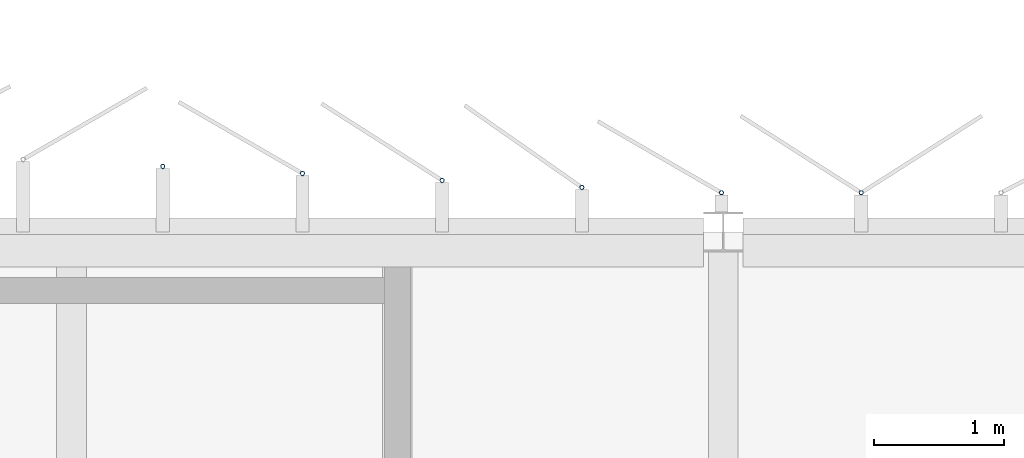
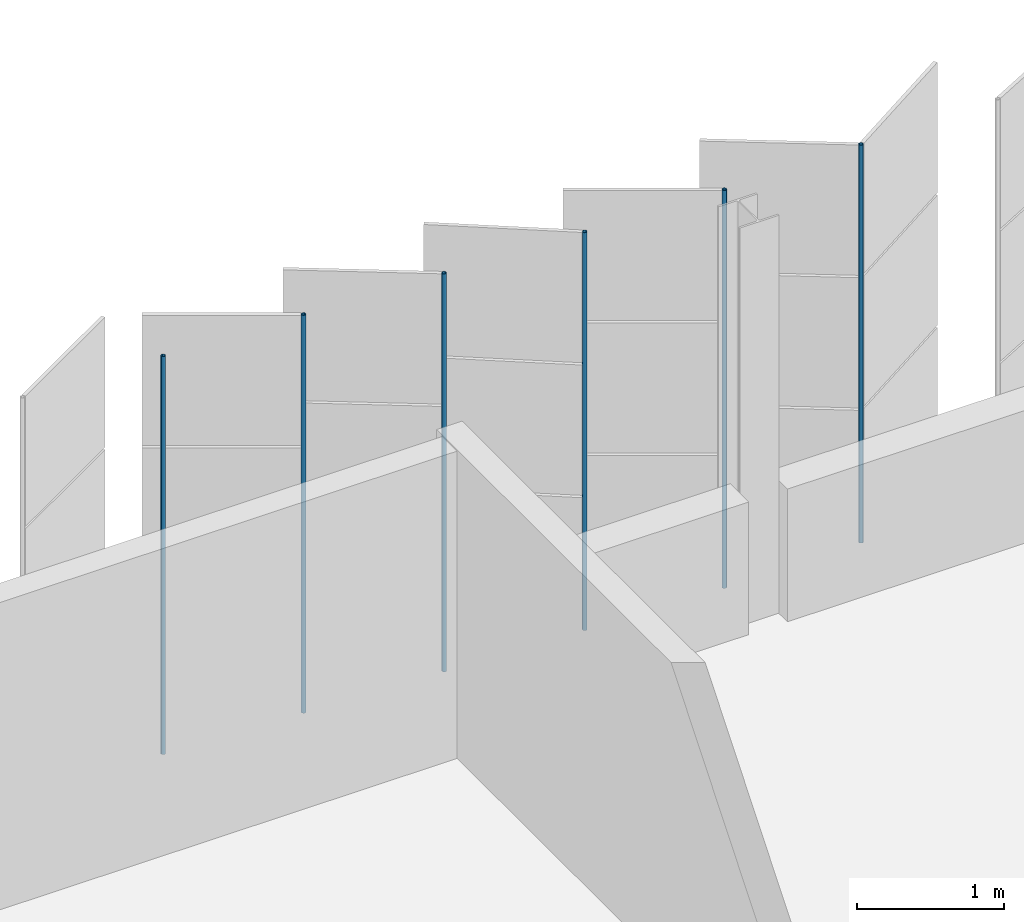
# One storey, part 136 of 199: 6 discrete accessories.
"""IFC4 building model written with IfcOpenShell, lengths in metres."""

from ifc_helpers import new_model, si_unit, direction, frame, origin, origin_2d, place, context, subcontext, project, spatial, hollow_circle, extrude, material, material_profile, profile_set, type_object, element, save


model = new_model("IFC4")

# Units and contexts
model_context = context("Model", 3, precision=1e-05, world=origin(), true_north=direction((0.0, 1.0)))
body_context = subcontext(model_context, "Body", "Model", "MODEL_VIEW")
ifc_project = project(units=[si_unit("LENGTHUNIT", "METRE"), si_unit("AREAUNIT", "SQUARE_METRE"), si_unit("VOLUMEUNIT", "CUBIC_METRE"), si_unit("PLANEANGLEUNIT", "RADIAN"), si_unit("MASSUNIT", "GRAM", prefix="KILO")], contexts=[model_context])

# Site, building, storey
site_placement = place(None, origin())
site = spatial("IfcSite", under=ifc_project, at=site_placement, CompositionType="ELEMENT")
building_placement = place(site_placement, origin())
building = spatial("IfcBuilding", under=site, at=building_placement, Name="Parallax Yard Mobility Hub", CompositionType="ELEMENT")
storey_placement = place(building_placement, frame((0.0, 0.0, 9.89990234375)))
storey = spatial("IfcBuildingStorey", under=building, at=storey_placement, Name="L03", CompositionType="ELEMENT", Elevation=9.89990234375)

# Discrete accessories
ifc_material = material(Name="Steel ASTM A500 Gr C, hot-dip galvanised", Category="steel")
ifc_material_profile = material_profile(ifc_material, hollow_circle(Radius=0.016845703125, WallThickness=0.003173828125, at=origin_2d()), Name="CHS 33.7x3.2")
ifc_profile_set = profile_set([ifc_material_profile], Name="Steel ASTM A500 Gr C, hot-dip galvanised")
discrete_accessory_type = type_object("IfcDiscreteAccessoryType", Name="Hinge post CHS 33.7x3.2", PredefinedType="BRACKET", material=ifc_profile_set)
for number, where, z_axis, x_axis, name in (
    (1, (46.058349609375, 142.800048828125, 0.0), (0.0, 0.0, 1.0), (1.0, 0.0, 0.0), "Hinge post bay 67.7 level L03"),
    (2, (44.98681640625, 142.800048828125, 0.0), (0.0, 0.0, 1.0), (1.0, 0.0, 0.0), "Hinge post bay 68.1 level L03"),
    (3, (43.915283203125, 142.841064453125, 0.0), (0.0, 0.0, 1.0), (1.0, 0.0, 0.0), "Hinge post bay 68.2 level L03"),
    (4, (42.84375, 142.894775390625, 0.0), (0.0, 0.0, 1.0), (1.0, 0.0, 0.0), "Hinge post bay 68.3 level L03"),
    (5, (41.772216796875, 142.9482421875, 0.0), (0.0, 0.0, 1.0), (1.0, 0.0, 0.0), "Hinge post bay 68.4 level L03"),
    (6, (40.700439453125, 143.001708984375, 0.0), (0.0, 0.0, 1.0), (1.0, 0.0, 0.0), "Hinge post bay 68.5 level L03"),
):
    element("IfcDiscreteAccessory", number, at=place(storey_placement, frame(where, z_axis=z_axis, x_axis=x_axis)), inside=storey, type_object=discrete_accessory_type, Name=name, PredefinedType="BRACKET", context=body_context, shape_type="SweptSolid", body=[
        extrude(hollow_circle(Radius=0.016845703125, WallThickness=0.003173828125, at=origin_2d()), origin(), (0.0, 0.0, 1.0), 3.300048828125),
    ])

save(model, "model.ifc")
